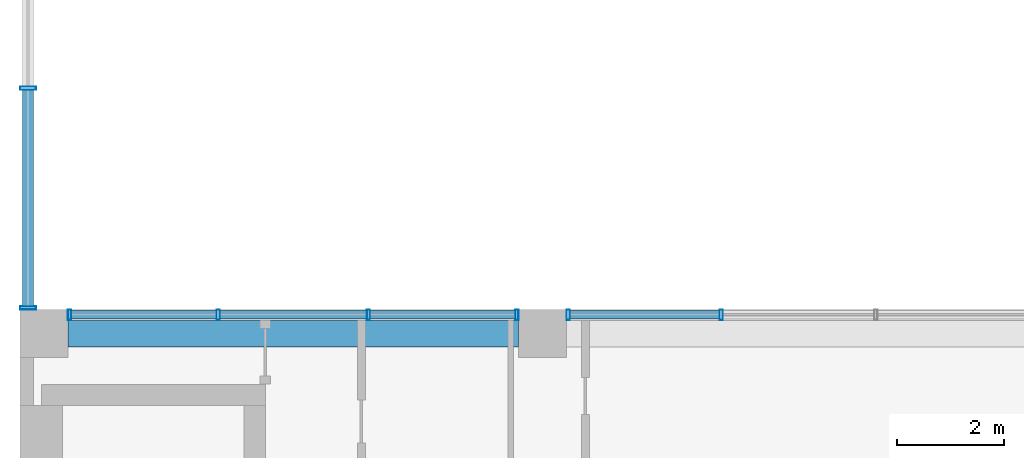
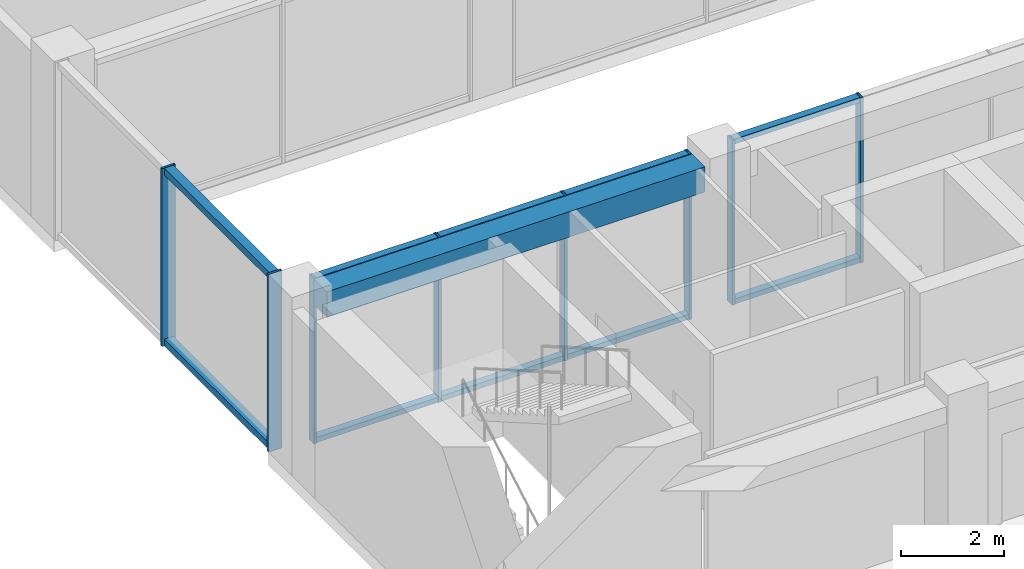
# One storey, part 6 of 38: 18 members, 1 beam, 3 elements without a shape of their own.
"""IFC4 building model written with IfcOpenShell, lengths in metres."""

from ifc_helpers import new_model, si_unit, direction, frame, origin, origin_2d, place, context, subcontext, project, spatial, rectangle, hollow_rectangle, extrude, material, layer, layer_set, material_profile, profile_set, type_object, element, aggregate, save


model = new_model("IFC4")

# Units and contexts
model_context = context("Model", 3, precision=1e-05, world=origin(), true_north=direction((0.0, 1.0)))
body_context = subcontext(model_context, "Body", "Model", "MODEL_VIEW")
ifc_project = project(units=[si_unit("LENGTHUNIT", "METRE"), si_unit("AREAUNIT", "SQUARE_METRE"), si_unit("VOLUMEUNIT", "CUBIC_METRE"), si_unit("PLANEANGLEUNIT", "RADIAN"), si_unit("MASSUNIT", "GRAM", prefix="KILO")], contexts=[model_context])

# Site, building, storey
site_placement = place(None, origin())
site = spatial("IfcSite", under=ifc_project, at=site_placement, CompositionType="ELEMENT")
building_placement = place(site_placement, origin())
building = spatial("IfcBuilding", under=site, at=building_placement, Name="Nzadi Deep Aquarium and Research Tower", CompositionType="ELEMENT")
storey_placement = place(building_placement, frame((0.0, 0.0, 65.5)))
storey = spatial("IfcBuildingStorey", under=building, at=storey_placement, Name="L13", CompositionType="ELEMENT", Elevation=65.5)

# Curtain wall, members
ifc_material_1 = material(Name="Aluminium unitised frame", Category="aluminium")
ifc_layer_1 = layer(ifc_material_1, 0.199951171875)
ifc_layer_set_1 = layer_set([ifc_layer_1], Name="Aluminium unitised frame")
curtain_wall_type_1 = type_object("IfcCurtainWallType", Name="Curtain wall Unitised 200", PredefinedType="NOTDEFINED", material=ifc_layer_set_1)
curtain_wall_1_placement = place(storey_placement, origin())
curtain_wall_1 = element("IfcCurtainWall", 1, at=curtain_wall_1_placement, inside=storey, type_object=curtain_wall_type_1, Name="Unitised curtain wall blade A north L13", PredefinedType="NOTDEFINED")
ifc_material_2 = material(Name="Aluminium unitised frame", Category="aluminium")
ifc_material_profile_1 = material_profile(ifc_material_2, hollow_rectangle(XDim=0.199951171875, YDim=0.06005859375, WallThickness=0.0048828125, at=origin_2d()))
ifc_profile_set_1 = profile_set([ifc_material_profile_1], Name="Aluminium unitised frame")
member_type_1 = type_object("IfcMemberType", Name="Mullion 60x200 Unitised", PredefinedType="MULLION", material=ifc_profile_set_1)
member_1_placement = place(storey_placement, frame((0.72998046875, 18.75, 0.0), z_axis=(0.0, 0.0, 1.0), x_axis=(0.0, 1.0, 0.0)))
member_1 = element("IfcMember", 2, at=member_1_placement, type_object=member_type_1, Name="CW058 mullion 1", PredefinedType="MULLION", context=body_context, shape_type="SweptSolid", body=[
    extrude(hollow_rectangle(XDim=0.199951171875, YDim=0.06005859375, WallThickness=0.0048828125, at=origin_2d()), origin(), (0.0, 0.0, 1.0), 3.89990234375),
])
member_2_placement = place(storey_placement, frame((3.5166015625, 18.75, 0.0), z_axis=(0.0, 0.0, 1.0), x_axis=(0.0, 1.0, 0.0)))
member_2 = element("IfcMember", 3, at=member_2_placement, type_object=member_type_1, Name="CW058 mullion 2", PredefinedType="MULLION", context=body_context, shape_type="SweptSolid", body=[
    extrude(hollow_rectangle(XDim=0.199951171875, YDim=0.06005859375, WallThickness=0.0048828125, at=origin_2d()), origin(), (0.0, 0.0, 1.0), 3.89990234375),
])
member_3_placement = place(storey_placement, frame((6.333251953125, 18.75, 0.0), z_axis=(0.0, 0.0, 1.0), x_axis=(0.0, 1.0, 0.0)))
member_3 = element("IfcMember", 4, at=member_3_placement, type_object=member_type_1, Name="CW058 mullion 3", PredefinedType="MULLION", context=body_context, shape_type="SweptSolid", body=[
    extrude(hollow_rectangle(XDim=0.199951171875, YDim=0.06005859375, WallThickness=0.0048828125, at=origin_2d()), origin(), (0.0, 0.0, 1.0), 3.89990234375),
])
member_4_placement = place(storey_placement, frame((9.1201171875, 18.75, 0.0), z_axis=(0.0, 0.0, 1.0), x_axis=(0.0, 1.0, 0.0)))
member_4 = element("IfcMember", 5, at=member_4_placement, type_object=member_type_1, Name="CW058 mullion 4", PredefinedType="MULLION", context=body_context, shape_type="SweptSolid", body=[
    extrude(hollow_rectangle(XDim=0.199951171875, YDim=0.06005859375, WallThickness=0.0048828125, at=origin_2d()), origin(), (0.0, 0.0, 1.0), 3.89990234375),
])

curtain_wall_2_placement = place(storey_placement, origin())
curtain_wall_2 = element("IfcCurtainWall", 6, at=curtain_wall_2_placement, inside=storey, type_object=curtain_wall_type_1, Name="Unitised curtain wall blade A north L13", PredefinedType="NOTDEFINED")
member_5_placement = place(storey_placement, frame((10.080078125, 18.75, 0.0), z_axis=(0.0, 0.0, 1.0), x_axis=(0.0, 1.0, 0.0)))
member_5 = element("IfcMember", 7, at=member_5_placement, type_object=member_type_1, Name="CW059 mullion 1", PredefinedType="MULLION", context=body_context, shape_type="SweptSolid", body=[
    extrude(hollow_rectangle(XDim=0.199951171875, YDim=0.06005859375, WallThickness=0.0048828125, at=origin_2d()), origin(), (0.0, 0.0, 1.0), 3.89990234375),
])
member_6_placement = place(storey_placement, frame((12.949951171875, 18.75, 0.0), z_axis=(0.0, 0.0, 1.0), x_axis=(0.0, 1.0, 0.0)))
member_6 = element("IfcMember", 8, at=member_6_placement, type_object=member_type_1, Name="CW059 mullion 2", PredefinedType="MULLION", context=body_context, shape_type="SweptSolid", body=[
    extrude(hollow_rectangle(XDim=0.199951171875, YDim=0.06005859375, WallThickness=0.0048828125, at=origin_2d()), origin(), (0.0, 0.0, 1.0), 3.89990234375),
])

ifc_material_3 = material(Name="Aluminium unitised frame wind post", Category="aluminium")
ifc_layer_2 = layer(ifc_material_3, 0.300048828125)
ifc_layer_set_2 = layer_set([ifc_layer_2], Name="Aluminium unitised frame wind post")
curtain_wall_type_2 = type_object("IfcCurtainWallType", Name="Curtain wall Slot End 300", PredefinedType="NOTDEFINED", material=ifc_layer_set_2)
curtain_wall_3_placement = place(storey_placement, origin())
curtain_wall_3 = element("IfcCurtainWall", 9, at=curtain_wall_3_placement, inside=storey, type_object=curtain_wall_type_2, Name="Glazed slot end west L13", PredefinedType="NOTDEFINED")
ifc_material_4 = material(Name="Aluminium unitised frame wind post", Category="aluminium")
ifc_material_profile_2 = material_profile(ifc_material_4, hollow_rectangle(XDim=0.300048828125, YDim=0.06005859375, WallThickness=0.0048828125, at=origin_2d()))
ifc_profile_set_2 = profile_set([ifc_material_profile_2], Name="Aluminium unitised frame wind post")
member_type_2 = type_object("IfcMemberType", Name="Mullion 60x300 Slot End", PredefinedType="MULLION", material=ifc_profile_set_2)
member_7_placement = place(storey_placement, frame((-0.049560546875, 18.8798828125, 0.0), z_axis=(0.0, 0.0, 1.0), x_axis=(-1.0, 0.0, 0.0)))
member_7 = element("IfcMember", 10, at=member_7_placement, type_object=member_type_2, Name="CW217 mullion 1", PredefinedType="MULLION", context=body_context, shape_type="SweptSolid", body=[
    extrude(hollow_rectangle(XDim=0.300048828125, YDim=0.06005859375, WallThickness=0.0048828125, at=origin_2d()), origin(), (0.0, 0.0, 1.0), 4.199951171875),
])
member_8_placement = place(storey_placement, frame((-0.049560546875, 23.0, 0.0), z_axis=(0.0, 0.0, 1.0), x_axis=(-1.0, 0.0, 0.0)))
member_8 = element("IfcMember", 11, at=member_8_placement, type_object=member_type_2, Name="CW217 mullion 2", PredefinedType="MULLION", context=body_context, shape_type="SweptSolid", body=[
    extrude(hollow_rectangle(XDim=0.300048828125, YDim=0.06005859375, WallThickness=0.0048828125, at=origin_2d()), origin(), (0.0, 0.0, 1.0), 4.199951171875),
])

# Beam
ifc_material_5 = material(Name="Concrete C35/45", Category="concrete")
ifc_material_profile_3 = material_profile(ifc_material_5, rectangle(XDim=0.5, YDim=0.60009765625, at=origin_2d()))
ifc_profile_set_3 = profile_set([ifc_material_profile_3], Name="Concrete C35/45")
beam_type = type_object("IfcBeamType", Name="RC 500x600", PredefinedType="BEAM", material=ifc_profile_set_3)
beam_placement = place(storey_placement, frame((0.699951171875, 18.39990234375, 3.60009765625), z_axis=(1.0, 0.0, 0.0), x_axis=(0.0, 1.0, 0.0)))
element("IfcBeam", 12, at=beam_placement, inside=storey, type_object=beam_type, Name="B-Z1-L13-L3-1", PredefinedType="BEAM", context=body_context, shape_type="SweptSolid", body=[
    extrude(rectangle(XDim=0.5, YDim=0.60009765625, at=origin_2d()), origin(), (0.0, 0.0, 1.0), 8.449951171875),
])

# Member
ifc_material_6 = material(Name="Aluminium unitised frame", Category="aluminium")
ifc_material_profile_4 = material_profile(ifc_material_6, hollow_rectangle(XDim=0.159912109375, YDim=0.1201171875, WallThickness=0.0048828125, at=origin_2d()))
ifc_profile_set_4 = profile_set([ifc_material_profile_4], Name="Aluminium unitised frame")
member_type_3 = type_object("IfcMemberType", Name="Transom 120x160 Unitised", PredefinedType="MULLION", material=ifc_profile_set_4)
member_9_placement = place(storey_placement, frame((0.760009765625, 18.75, 0.06005859375), z_axis=(1.0, 0.0, 0.0), x_axis=(0.0, 1.0, 0.0)))
member_9 = element("IfcMember", 13, at=member_9_placement, type_object=member_type_3, Name="CW058 transom 1.1", PredefinedType="MULLION", context=body_context, shape_type="SweptSolid", body=[
    extrude(hollow_rectangle(XDim=0.159912109375, YDim=0.1201171875, WallThickness=0.0048828125, at=origin_2d()), origin(), (0.0, 0.0, 1.0), 2.7265625),
])

member_10_placement = place(storey_placement, frame((0.760009765625, 18.75, 3.840087890625), z_axis=(1.0, 0.0, 0.0), x_axis=(0.0, 1.0, 0.0)))
member_10 = element("IfcMember", 14, at=member_10_placement, type_object=member_type_3, Name="CW058 transom 1.2", PredefinedType="MULLION", context=body_context, shape_type="SweptSolid", body=[
    extrude(hollow_rectangle(XDim=0.159912109375, YDim=0.1201171875, WallThickness=0.0048828125, at=origin_2d()), origin(), (0.0, 0.0, 1.0), 2.7265625),
])

member_11_placement = place(storey_placement, frame((3.546630859375, 18.75, 0.06005859375), z_axis=(1.0, 0.0, 0.0), x_axis=(0.0, 1.0, 0.0)))
member_11 = element("IfcMember", 15, at=member_11_placement, type_object=member_type_3, Name="CW058 transom 2.1", PredefinedType="MULLION", context=body_context, shape_type="SweptSolid", body=[
    extrude(hollow_rectangle(XDim=0.159912109375, YDim=0.1201171875, WallThickness=0.0048828125, at=origin_2d()), origin(), (0.0, 0.0, 1.0), 2.756591796875),
])

member_12_placement = place(storey_placement, frame((3.546630859375, 18.75, 3.840087890625), z_axis=(1.0, 0.0, 0.0), x_axis=(0.0, 1.0, 0.0)))
member_12 = element("IfcMember", 16, at=member_12_placement, type_object=member_type_3, Name="CW058 transom 2.2", PredefinedType="MULLION", context=body_context, shape_type="SweptSolid", body=[
    extrude(hollow_rectangle(XDim=0.159912109375, YDim=0.1201171875, WallThickness=0.0048828125, at=origin_2d()), origin(), (0.0, 0.0, 1.0), 2.756591796875),
])

member_13_placement = place(storey_placement, frame((6.36328125, 18.75, 0.06005859375), z_axis=(1.0, 0.0, 0.0), x_axis=(0.0, 1.0, 0.0)))
member_13 = element("IfcMember", 17, at=member_13_placement, type_object=member_type_3, Name="CW058 transom 3.1", PredefinedType="MULLION", context=body_context, shape_type="SweptSolid", body=[
    extrude(hollow_rectangle(XDim=0.159912109375, YDim=0.1201171875, WallThickness=0.0048828125, at=origin_2d()), origin(), (0.0, 0.0, 1.0), 2.726806640625),
])

member_14_placement = place(storey_placement, frame((6.36328125, 18.75, 3.840087890625), z_axis=(1.0, 0.0, 0.0), x_axis=(0.0, 1.0, 0.0)))
member_14 = element("IfcMember", 18, at=member_14_placement, type_object=member_type_3, Name="CW058 transom 3.2", PredefinedType="MULLION", context=body_context, shape_type="SweptSolid", body=[
    extrude(hollow_rectangle(XDim=0.159912109375, YDim=0.1201171875, WallThickness=0.0048828125, at=origin_2d()), origin(), (0.0, 0.0, 1.0), 2.726806640625),
])

aggregate(curtain_wall_1, [member_1, member_2, member_3, member_4, member_9, member_10, member_11, member_12, member_13, member_14])

member_15_placement = place(storey_placement, frame((10.110107421875, 18.75, 0.06005859375), z_axis=(1.0, 0.0, 0.0), x_axis=(0.0, 1.0, 0.0)))
member_15 = element("IfcMember", 19, at=member_15_placement, type_object=member_type_3, Name="CW059 transom 1.1", PredefinedType="MULLION", context=body_context, shape_type="SweptSolid", body=[
    extrude(hollow_rectangle(XDim=0.159912109375, YDim=0.1201171875, WallThickness=0.0048828125, at=origin_2d()), origin(), (0.0, 0.0, 1.0), 2.809814453125),
])

member_16_placement = place(storey_placement, frame((10.110107421875, 18.75, 3.840087890625), z_axis=(1.0, 0.0, 0.0), x_axis=(0.0, 1.0, 0.0)))
member_16 = element("IfcMember", 20, at=member_16_placement, type_object=member_type_3, Name="CW059 transom 1.2", PredefinedType="MULLION", context=body_context, shape_type="SweptSolid", body=[
    extrude(hollow_rectangle(XDim=0.159912109375, YDim=0.1201171875, WallThickness=0.0048828125, at=origin_2d()), origin(), (0.0, 0.0, 1.0), 2.809814453125),
])

aggregate(curtain_wall_2, [member_5, member_6, member_15, member_16])

ifc_material_7 = material(Name="Aluminium unitised frame wind post", Category="aluminium")
ifc_material_profile_5 = material_profile(ifc_material_7, hollow_rectangle(XDim=0.199951171875, YDim=0.159912109375, WallThickness=0.0048828125, at=origin_2d()))
ifc_profile_set_5 = profile_set([ifc_material_profile_5], Name="Aluminium unitised frame wind post")
member_type_4 = type_object("IfcMemberType", Name="Transom 160x200 Slot End", PredefinedType="MULLION", material=ifc_profile_set_5)
member_17_placement = place(storey_placement, frame((-0.050048828125, 18.909912109375, 0.080078125), z_axis=(0.0, 1.0, 0.0), x_axis=(-1.0, 0.0, 0.0)))
member_17 = element("IfcMember", 21, at=member_17_placement, type_object=member_type_4, Name="CW217 transom 1.1", PredefinedType="MULLION", context=body_context, shape_type="SweptSolid", body=[
    extrude(hollow_rectangle(XDim=0.199951171875, YDim=0.159912109375, WallThickness=0.0048828125, at=origin_2d()), origin(), (0.0, 0.0, 1.0), 4.06005859375),
])

member_18_placement = place(storey_placement, frame((-0.050048828125, 18.909912109375, 4.1201171875), z_axis=(0.0, 1.0, 0.0), x_axis=(-1.0, 0.0, 0.0)))
member_18 = element("IfcMember", 22, at=member_18_placement, type_object=member_type_4, Name="CW217 transom 1.2", PredefinedType="MULLION", context=body_context, shape_type="SweptSolid", body=[
    extrude(hollow_rectangle(XDim=0.199951171875, YDim=0.159912109375, WallThickness=0.0048828125, at=origin_2d()), origin(), (0.0, 0.0, 1.0), 4.06005859375),
])

aggregate(curtain_wall_3, [member_7, member_8, member_17, member_18])

save(model, "model.ifc")
